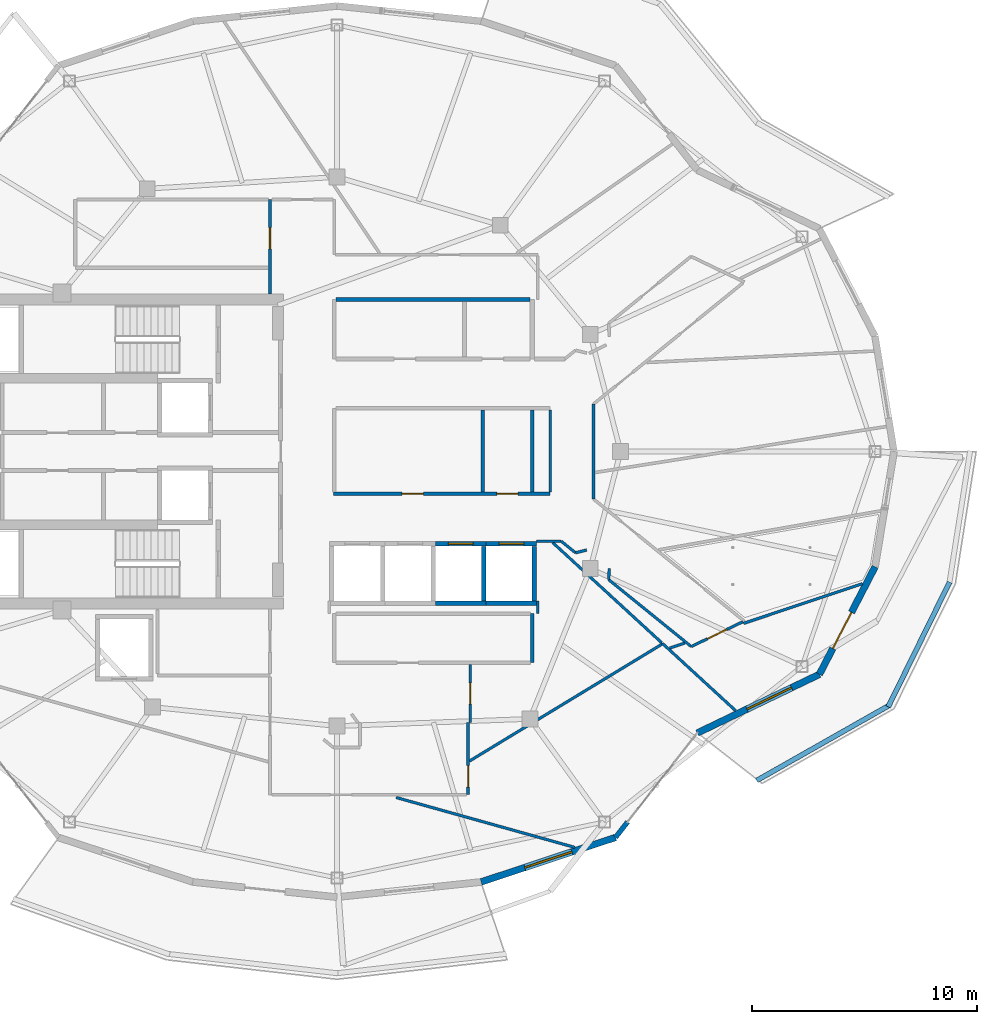
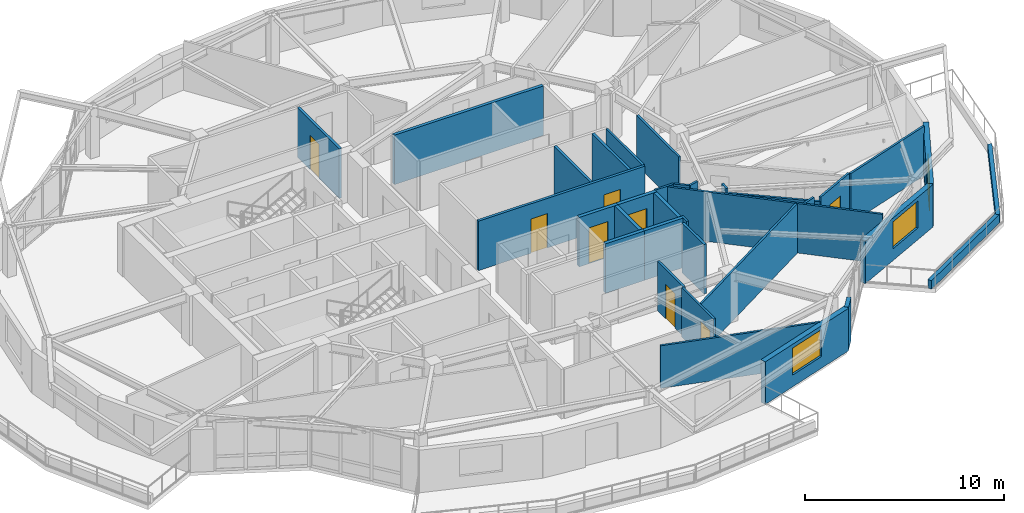
# One storey, part 9 of 16: 35 walls, 9 doors, 2 windows, 11 openings.
"""IFC4 building model written with IfcOpenShell, lengths in metres."""

import ifcopenshell
import ifcopenshell.guid

model = None  # the IFC model being written
_history = None  # IfcOwnerHistory: only IFC2X3 demands one
_inside = {}  # id of a spatial element -> (the spatial element, [elements in it])
_under = {}  # id of a project, library or spatial element -> (it, [spatial elements below it])
_declared = {}  # id of a project -> (the project, [libraries it declares])
_typed = {}  # id of a type object -> (the type object, [elements of that type])
_made_of = {}  # id of a material, layer set ... -> (it, [elements and type objects made of it])


def new_model(schema):
    """Start an empty IFC model of exactly this schema.

    Asked for "IFC4X3", IfcOpenShell would pick the latest addendum, in which some entities
    have other attributes; the version numbers below select the first issue.
    IFC2X3 requires an IfcOwnerHistory on every rooted entity: one is made here for all.
    """
    global model, _history
    if schema == "IFC4X3":
        model = ifcopenshell.file(schema_version=(4, 3, 0, 0))
    else:
        model = ifcopenshell.file(schema=schema)
    _inside.clear()
    _under.clear()
    _declared.clear()
    _typed.clear()
    _made_of.clear()
    _history = None
    if model.schema == "IFC2X3":
        org = make("IfcOrganization", Name="unknown")
        user = make(
            "IfcPersonAndOrganization",
            ThePerson=make("IfcPerson", FamilyName="unknown"),
            TheOrganization=org,
        )
        app = make(
            "IfcApplication",
            ApplicationDeveloper=org,
            Version="unknown",
            ApplicationFullName="unknown",
            ApplicationIdentifier="unknown",
        )
        _history = make(
            "IfcOwnerHistory",
            OwningUser=user,
            OwningApplication=app,
            ChangeAction="ADDED",
            CreationDate=0,
        )
    return model


def make(cls, **values):
    """One entity of the class cls with the attributes given. An attribute that is None is left unset."""
    return model.create_entity(
        cls, **{name: value for name, value in values.items() if value is not None}
    )


def rooted(cls, **values):
    """An entity with a GlobalId (a new one), such as an element, a storey or a relation."""
    return make(cls, GlobalId=ifcopenshell.guid.new(), OwnerHistory=_history, **values)


def si_unit(unit_type, name, prefix=None):
    """IfcSIUnit, for example si_unit("LENGTHUNIT", "METRE", prefix="MILLI")."""
    return make("IfcSIUnit", UnitType=unit_type, Prefix=prefix, Name=name)


def assignment(units):
    """IfcUnitAssignment: the units of a project."""
    return None if units is None else make("IfcUnitAssignment", Units=units)


def point(xyz):
    """IfcCartesianPoint."""
    return None if xyz is None else make("IfcCartesianPoint", Coordinates=xyz)


def direction(xyz):
    """IfcDirection."""
    return None if xyz is None else make("IfcDirection", DirectionRatios=xyz)


def frame(location, z_axis=None, x_axis=None):
    """IfcAxis2Placement3D, a coordinate frame: its origin and axes. An axis left out is left unset."""
    return make(
        "IfcAxis2Placement3D",
        Location=point(location),
        Axis=direction(z_axis),
        RefDirection=direction(x_axis),
    )


def frame_2d(location, x_axis=None):
    """IfcAxis2Placement2D, a coordinate frame in the plane: its origin and x axis."""
    return make(
        "IfcAxis2Placement2D", Location=point(location), RefDirection=direction(x_axis)
    )


def origin():
    """The frame at (0, 0, 0) with its axes left unset."""
    return frame((0.0, 0.0, 0.0))


def place(relative_to, where):
    """IfcLocalPlacement: puts the frame where relative to a parent placement (None: the world)."""
    return make(
        "IfcLocalPlacement", PlacementRelTo=relative_to, RelativePlacement=where
    )


def context(
    kind, dimensions, precision=None, world=None, true_north=None, identifier=None
):
    """IfcGeometricRepresentationContext, for example the 3D "Model" context."""
    return make(
        "IfcGeometricRepresentationContext",
        ContextIdentifier=identifier,
        ContextType=kind,
        CoordinateSpaceDimension=dimensions,
        Precision=precision,
        WorldCoordinateSystem=world,
        TrueNorth=true_north,
    )


def subcontext(parent, identifier, kind, view, scale=None):
    """IfcGeometricRepresentationSubContext, for example "Body" below "Model"."""
    return make(
        "IfcGeometricRepresentationSubContext",
        ContextIdentifier=identifier,
        ContextType=kind,
        ParentContext=parent,
        TargetScale=scale,
        TargetView=view,
    )


def project(units=None, contexts=None):
    """IfcProject with its units and contexts."""
    return rooted(
        "IfcProject",
        Name="project",
        RepresentationContexts=contexts,
        UnitsInContext=assignment(units),
    )


def spatial(cls, under=None, at=None, **own):
    """A site, building, storey or space (cls), placed at a placement, below another one or the project."""
    s = rooted(cls, ObjectPlacement=at, **own)
    if under is not None:
        _under.setdefault(under.id(), (under, []))[1].append(s)
    return s


def profile(cls, at=None, kind="AREA", **sizes):
    """A parametric profile (cls). Its sizes go by their IFC names, for example OverallWidth=200.0."""
    return make(cls, ProfileType=kind, Position=at, **sizes)


def rectangle(**sizes):
    """IfcRectangleProfileDef."""
    return profile("IfcRectangleProfileDef", **sizes)


def extrude(swept, where, along, depth):
    """IfcExtrudedAreaSolid: the profile swept, set in the frame where, extruded along a direction by depth."""
    return make(
        "IfcExtrudedAreaSolid",
        SweptArea=swept,
        Position=where,
        ExtrudedDirection=direction(along),
        Depth=depth,
    )


def shape(context_of_items, identifier, shape_type, items):
    """IfcShapeRepresentation: the items that make up one representation, for example the "Body"."""
    return make(
        "IfcShapeRepresentation",
        ContextOfItems=context_of_items,
        RepresentationIdentifier=identifier,
        RepresentationType=shape_type,
        Items=items,
    )


def material(Name=None, Category=None):
    """IfcMaterial."""
    return make("IfcMaterial", Name=Name, Category=Category)


def layer(
    of_material, thickness, ventilated=None, Name=None, Category=None, Priority=None
):
    """IfcMaterialLayer: one layer of a wall or slab, of a material (None: an air gap)."""
    return make(
        "IfcMaterialLayer",
        Material=of_material,
        LayerThickness=thickness,
        IsVentilated=ventilated,
        Name=Name,
        Category=Category,
        Priority=Priority,
    )


def layer_set(layers, Name=None):
    """IfcMaterialLayerSet."""
    return make("IfcMaterialLayerSet", MaterialLayers=layers, LayerSetName=Name)


def made_of(thing, what):
    """Note that an element or type object is made of a material, layer set ...; save() writes the relation."""
    if what is not None:
        _made_of.setdefault(what.id(), (what, []))[1].append(thing)
    return thing


def type_object(cls, material=None, **own):
    """A type object (cls), such as IfcWallType, which elements share."""
    return made_of(rooted(cls, **own), material)


def element(
    cls,
    number,
    at=None,
    inside=None,
    cuts=None,
    type_object=None,
    material=None,
    context=None,
    identifier="Body",
    shape_type=None,
    held_by="IfcProductDefinitionShape",
    body=None,
    shapes=None,
    **own,
):
    """One element of the class cls, such as IfcWall. Its Tag is "e" and its number.

    at: its placement. inside: the storey or other place that contains it. cuts: it is an
    opening in that element (IfcRelVoidsElement). A single representation is given by context,
    identifier, shape_type and body (its items); several are given by shapes. held_by: the class
    of the entity that holds the representations. save() writes the other relations.
    """
    e = rooted(cls, Tag="e%d" % number, ObjectPlacement=at, **own)
    if body is not None:
        shapes = [shape(context, identifier, shape_type, body)]
    if shapes is not None:
        e.Representation = make(held_by, Representations=shapes)
    if inside is not None:
        _inside.setdefault(inside.id(), (inside, []))[1].append(e)
    if cuts is not None:
        rooted(
            "IfcRelVoidsElement", RelatingBuildingElement=cuts, RelatedOpeningElement=e
        )
    if type_object is not None:
        _typed.setdefault(type_object.id(), (type_object, []))[1].append(e)
    return made_of(e, material)


def fill(opening, filler):
    """IfcRelFillsElement: the door or window that sits in an opening."""
    return rooted(
        "IfcRelFillsElement",
        RelatingOpeningElement=opening,
        RelatedBuildingElement=filler,
    )


def aggregate(whole, parts):
    """IfcRelAggregates: a whole, such as a stair, and the parts it consists of."""
    return rooted("IfcRelAggregates", RelatingObject=whole, RelatedObjects=parts)


def save(model, path):
    """Write the relations noted so far, then the file.

    IfcRelAggregates (storeys below a building ...), IfcRelContainedInSpatialStructure (elements
    in a storey), IfcRelDefinesByType, IfcRelAssociatesMaterial and IfcRelDeclares: one each for
    every whole, place, type object, material and project.
    """
    for whole, parts in _under.values():
        aggregate(whole, parts)
    for where, things in _inside.values():
        rooted(
            "IfcRelContainedInSpatialStructure",
            RelatedElements=things,
            RelatingStructure=where,
        )
    for kind, things in _typed.values():
        rooted("IfcRelDefinesByType", RelatedObjects=things, RelatingType=kind)
    for what, things in _made_of.values():
        rooted("IfcRelAssociatesMaterial", RelatedObjects=things, RelatingMaterial=what)
    for by, libraries in _declared.values():
        rooted("IfcRelDeclares", RelatingContext=by, RelatedDefinitions=libraries)
    model.write(path)


model = new_model("IFC4")

# Units and contexts
model_context = context("Model", 3, precision=1e-05, world=origin(), true_north=direction((0.0, 1.0)))
body_context = subcontext(model_context, "Body", "Model", "MODEL_VIEW")
ifc_project = project(units=[si_unit("LENGTHUNIT", "METRE"), si_unit("AREAUNIT", "SQUARE_METRE"), si_unit("VOLUMEUNIT", "CUBIC_METRE"), si_unit("PLANEANGLEUNIT", "RADIAN"), si_unit("MASSUNIT", "GRAM", prefix="KILO")], contexts=[model_context])

# Site, building, storey
site_placement = place(None, origin())
site = spatial("IfcSite", under=ifc_project, at=site_placement, CompositionType="ELEMENT")
building_placement = place(site_placement, origin())
building = spatial("IfcBuilding", under=site, at=building_placement, Name="Kolvaren Gate Tower and Convention Centre", CompositionType="ELEMENT")
storey_placement = place(building_placement, frame((0.0, 0.0, 219.5)))
storey = spatial("IfcBuildingStorey", under=building, at=storey_placement, Name="L58", CompositionType="ELEMENT", Elevation=219.5)

# Walls
ifc_material_1 = material(Name="Autoclaved Aerated Masonry Blockwork Class 4 (4.0 MPa)", Category="masonry")
ifc_layer_1 = layer(ifc_material_1, 0.179931640625)
ifc_layer_set_1 = layer_set([ifc_layer_1], Name="Autoclaved Aerated Masonry Blockwork Class 4 (4.0 MPa)")
wall_type_1 = type_object("IfcWallType", Name="ARCH-WL-COMP-180", PredefinedType="SOLIDWALL", material=ifc_layer_set_1)
wall_1_placement = place(storey_placement, frame((30.076904296875, 33.75, 0.0), z_axis=(0.0, 0.0, 1.0), x_axis=(1.0, 0.0, 0.0)))
element("IfcWall", 1, at=wall_1_placement, inside=storey, type_object=wall_type_1, Name="Interior Partition WL-L58-INT-024", PredefinedType="SOLIDWALL", context=body_context, shape_type="SweptSolid", body=[
    extrude(rectangle(XDim=8.631103515625, YDim=0.179931640625, at=frame_2d((4.3154296875, 0.0))), origin(), (0.0, 0.0, 1.0), 3.030029296875),
])
ifc_material_2 = material(Name="Fire-Rated Acoustic Gypsum Stud Partition", Category="gypsum")
ifc_layer_2 = layer(ifc_material_2, 0.1201171875)
ifc_layer_set_2 = layer_set([ifc_layer_2], Name="Fire-Rated Acoustic Gypsum Stud Partition")
wall_type_2 = type_object("IfcWallType", Name="ARCH-WL-PART-120", PredefinedType="PARTITIONING", material=ifc_layer_set_2)
wall_2_placement = place(storey_placement, frame((39.050048828125, 19.800048828125, 0.0), z_axis=(0.0, 0.0, 1.0), x_axis=(0.0, 1.0, 0.0)))
element("IfcWall", 2, at=wall_2_placement, inside=storey, type_object=wall_type_2, Name="Interior Partition WL-L58-INT-032", PredefinedType="PARTITIONING", context=body_context, shape_type="SweptSolid", body=[
    extrude(rectangle(XDim=0.56005859375, YDim=0.1201171875, at=frame_2d((0.280029296875, 0.0))), origin(), (0.0, 0.0, 1.0), 3.030029296875),
])
wall_3_placement = place(storey_placement, frame((41.52001953125, 24.89208984375, 0.0), z_axis=(0.0, 0.0, 1.0), x_axis=(0.0, 1.0, 0.0)))
element("IfcWall", 3, at=wall_3_placement, inside=storey, type_object=wall_type_2, Name="Interior Partition WL-L58-INT-040", PredefinedType="PARTITIONING", context=body_context, shape_type="SweptSolid", body=[
    extrude(rectangle(XDim=4.2158203125, YDim=0.1201171875, at=frame_2d((2.10791015625, 0.0))), origin(), (0.0, 0.0, 1.0), 3.030029296875),
])

# Wall, opening, door
wall_4_placement = place(storey_placement, frame((45.864013671875, 18.3359375, 0.0), z_axis=(0.0, 0.0, 1.0), x_axis=(0.901512568896, 0.432752918097, 0.0)))
wall_4 = element("IfcWall", 4, at=wall_4_placement, inside=storey, type_object=wall_type_2, Name="Interior Partition WL-L58-INT-042", PredefinedType="PARTITIONING", context=body_context, shape_type="SweptSolid", body=[
    extrude(rectangle(XDim=2.542724609375, YDim=0.1201171875, at=frame_2d((1.271484375, 0.0))), origin(), (0.0, 0.0, 1.0), 3.030029296875),
])
opening_1_placement = place(wall_4_placement, frame((0.79638671875, 0.0, 0.0)))
opening_1 = element("IfcOpeningElement", 5, at=opening_1_placement, cuts=wall_4, Name="Opening DR-01", PredefinedType="OPENING", context=body_context, shape_type="SweptSolid", body=[
    extrude(rectangle(XDim=0.949951171875, YDim=2.10009765625, at=frame_2d((0.47509765625, 1.050048828125))), frame((0.0, 0.070068359375, 0.0), z_axis=(0.0, -1.0, 0.0), x_axis=(1.0, 0.0, 0.0)), (0.0, 0.0, 1.0), 0.14013671875),
])
ifc_material_3 = material(Name="Painted Architectural Steelwork ASTM A500 Grade C 345 MPa", Category="steel")
door_type_1 = type_object("IfcDoorType", Name="ARCH-DR-RISER-950", OperationType="SINGLE_SWING_RIGHT", PredefinedType="DOOR", material=ifc_material_3)
door_1_placement = place(opening_1_placement, origin())
door_1 = element("IfcDoor", 6, at=door_1_placement, inside=storey, type_object=door_type_1, Name="Resident Sauna and Wellness Spa Door", OperationType="SINGLE_SWING_LEFT", OverallHeight=2.10009765625, OverallWidth=0.949951171875, PredefinedType="DOOR", context=body_context, shape_type="SweptSolid", body=[
    extrude(rectangle(XDim=0.949951171875, YDim=2.10009765625, at=frame_2d((0.47509765625, 1.050048828125))), frame((0.0, 0.02490234375, 0.0), z_axis=(0.0, -1.0, 0.0), x_axis=(1.0, 0.0, 0.0)), (0.0, 0.0, 1.0), 0.050048828125),
])
fill(opening_1, door_1)

# Walls
wall_5_placement = place(storey_placement, frame((40.08203125, 23.020263671875, 0.0), z_axis=(0.0, 0.0, 1.0), x_axis=(0.776900403314, -0.629623509195, 0.0)))
element("IfcWall", 7, at=wall_5_placement, inside=storey, type_object=wall_type_2, Name="Interior Partition WL-L58-INT-043", PredefinedType="PARTITIONING", context=body_context, shape_type="SweptSolid", body=[
    extrude(rectangle(XDim=0.825439453125, YDim=0.1201171875, at=frame_2d((0.41259765625, 0.0))), origin(), (0.0, 0.0, 1.0), 3.030029296875),
])
wall_6_placement = place(storey_placement, frame((42.197998046875, 21.305908203125, 0.0), z_axis=(0.0, 0.0, 1.0), x_axis=(0.777012245854, -0.629485480208, 0.0)))
element("IfcWall", 8, at=wall_6_placement, inside=storey, type_object=wall_type_2, Name="Interior Partition WL-L58-INT-044", PredefinedType="PARTITIONING", context=body_context, shape_type="SweptSolid", body=[
    extrude(rectangle(XDim=4.718017578125, YDim=0.1201171875, at=frame_2d((2.35888671875, 0.0))), origin(), (0.0, 0.0, 1.0), 2.77001953125),
])
wall_7_placement = place(storey_placement, frame((42.197998046875, 21.305908203125, 0.0), z_axis=(0.0, 0.0, 1.0), x_axis=(0.048267148556, 0.998834461946, 0.0)))
element("IfcWall", 9, at=wall_7_placement, inside=storey, type_object=wall_type_2, Name="Interior Partition WL-L58-INT-045", PredefinedType="PARTITIONING", context=body_context, shape_type="SweptSolid", body=[
    extrude(rectangle(XDim=0.49560546875, YDim=0.1201171875, at=frame_2d((0.247802734375, 0.0))), origin(), (0.0, 0.0, 1.0), 3.030029296875),
])
wall_8_placement = place(storey_placement, frame((40.722900390625, 22.5, 0.0), z_axis=(0.0, 0.0, 1.0), x_axis=(0.970029850173, 0.24298578101, 0.0)))
element("IfcWall", 10, at=wall_8_placement, inside=storey, type_object=wall_type_2, Name="Interior Partition WL-L58-INT-046", PredefinedType="PARTITIONING", context=body_context, shape_type="SweptSolid", body=[
    extrude(rectangle(XDim=0.510498046875, YDim=0.1201171875, at=frame_2d((0.25537109375, 0.0))), origin(), (0.0, 0.0, 1.0), 3.030029296875),
])
wall_9_placement = place(storey_placement, frame((39.0, 23.02001953125, 0.0), z_axis=(0.0, 0.0, 1.0), x_axis=(1.0, 0.0, 0.0)))
element("IfcWall", 11, at=wall_9_placement, inside=storey, type_object=wall_type_2, Name="Interior Partition WL-L58-INT-047", PredefinedType="PARTITIONING", context=body_context, shape_type="SweptSolid", body=[
    extrude(rectangle(XDim=1.081787109375, YDim=0.1201171875, at=frame_2d((0.541015625, 0.0))), origin(), (0.0, 0.0, 1.0), 3.030029296875),
])

# Wall, opening, door
wall_10_placement = place(storey_placement, frame((36.050048828125, 14.949951171875, 0.0), z_axis=(0.0, 0.0, 1.0), x_axis=(0.0, 1.0, 0.0)))
wall_10 = element("IfcWall", 12, at=wall_10_placement, inside=storey, type_object=wall_type_2, Name="Interior Partition WL-L58-INT-049", PredefinedType="PARTITIONING", context=body_context, shape_type="SweptSolid", body=[
    extrude(rectangle(XDim=2.593017578125, YDim=0.1201171875, at=frame_2d((1.29638671875, 0.0))), origin(), (0.0, 0.0, 1.0), 3.030029296875),
])
opening_2_placement = place(wall_10_placement, frame((0.821533203125, 0.0, 0.0)))
opening_2 = element("IfcOpeningElement", 13, at=opening_2_placement, cuts=wall_10, Name="Opening DR-01", PredefinedType="OPENING", context=body_context, shape_type="SweptSolid", body=[
    extrude(rectangle(XDim=0.949951171875, YDim=2.10009765625, at=frame_2d((0.47509765625, 1.050048828125))), frame((0.0, 0.070068359375, 0.0), z_axis=(0.0, -1.0, 0.0), x_axis=(1.0, 0.0, 0.0)), (0.0, 0.0, 1.0), 0.14013671875),
])
door_2_placement = place(opening_2_placement, origin())
door_2 = element("IfcDoor", 14, at=door_2_placement, inside=storey, type_object=door_type_1, Name="Resident Reading Study Door", OperationType="SINGLE_SWING_RIGHT", OverallHeight=2.10009765625, OverallWidth=0.949951171875, PredefinedType="DOOR", context=body_context, shape_type="SweptSolid", body=[
    extrude(rectangle(XDim=0.949951171875, YDim=2.10009765625, at=frame_2d((0.47509765625, 1.050048828125))), frame((0.0, 0.02490234375, 0.0), z_axis=(0.0, -1.0, 0.0), x_axis=(1.0, 0.0, 0.0)), (0.0, 0.0, 1.0), 0.050048828125),
])
fill(opening_2, door_2)

wall_11_placement = place(storey_placement, frame((35.949951171875, 11.75, 0.0), z_axis=(0.0, 0.0, 1.0), x_axis=(0.0, 1.0, 0.0)))
wall_11 = element("IfcWall", 15, at=wall_11_placement, inside=storey, type_object=wall_type_2, Name="Interior Partition WL-L58-INT-050", PredefinedType="PARTITIONING", context=body_context, shape_type="SweptSolid", body=[
    extrude(rectangle(XDim=3.199951171875, YDim=0.1201171875, at=frame_2d((1.60009765625, 0.0))), origin(), (0.0, 0.0, 1.0), 3.030029296875),
])
opening_3_placement = place(wall_11_placement, frame((0.343017578125, 0.0, 0.0)))
opening_3 = element("IfcOpeningElement", 16, at=opening_3_placement, cuts=wall_11, Name="Opening DR-01", PredefinedType="OPENING", context=body_context, shape_type="SweptSolid", body=[
    extrude(rectangle(XDim=0.949951171875, YDim=2.10009765625, at=frame_2d((0.47509765625, 1.050048828125))), frame((0.0, 0.070068359375, 0.0), z_axis=(0.0, -1.0, 0.0), x_axis=(1.0, 0.0, 0.0)), (0.0, 0.0, 1.0), 0.14013671875),
])
door_3_placement = place(opening_3_placement, origin())
door_3 = element("IfcDoor", 17, at=door_3_placement, inside=storey, type_object=door_type_1, Name="Resident Private Study Door", OperationType="SINGLE_SWING_LEFT", OverallHeight=2.10009765625, OverallWidth=0.949951171875, PredefinedType="DOOR", context=body_context, shape_type="SweptSolid", body=[
    extrude(rectangle(XDim=0.949951171875, YDim=2.10009765625, at=frame_2d((0.47509765625, 1.050048828125))), frame((0.0, 0.02490234375, 0.0), z_axis=(0.0, -1.0, 0.0), x_axis=(1.0, 0.0, 0.0)), (0.0, 0.0, 1.0), 0.050048828125),
])
fill(opening_3, door_3)

# Walls
wall_12_placement = place(storey_placement, frame((39.60009765625, 25.197021484375, 0.0), z_axis=(0.0, 0.0, 1.0), x_axis=(0.0, 1.0, 0.0)))
element("IfcWall", 18, at=wall_12_placement, inside=storey, type_object=wall_type_2, Name="Interior Partition WL-L58-INT-052", PredefinedType="PARTITIONING", context=body_context, shape_type="SweptSolid", body=[
    extrude(rectangle(XDim=3.64599609375, YDim=0.1201171875, at=frame_2d((1.822998046875, 0.0))), origin(), (0.0, 0.0, 1.0), 3.030029296875),
])
wall_13_placement = place(storey_placement, frame((32.75341796875, 11.6279296875, 0.0), z_axis=(0.0, 0.0, 1.0), x_axis=(0.96314203236, -0.26899335587, 0.0)))
element("IfcWall", 19, at=wall_13_placement, inside=storey, type_object=wall_type_2, Name="Interior Partition WL-L58-INT-060", PredefinedType="PARTITIONING", context=body_context, shape_type="SweptSolid", body=[
    extrude(rectangle(XDim=8.237548828125, YDim=0.1201171875, at=frame_2d((4.11865234375, 0.0))), origin(), (0.0, 0.0, 1.0), 2.60498046875),
])
wall_14_placement = place(storey_placement, frame((36.011962890625, 13.246826171875, 0.0), z_axis=(0.0, 0.0, 1.0), x_axis=(0.85474937032, 0.519040955934, 0.0)))
element("IfcWall", 20, at=wall_14_placement, inside=storey, type_object=wall_type_2, Name="Interior Partition WL-L58-INT-061", PredefinedType="PARTITIONING", context=body_context, shape_type="SweptSolid", body=[
    extrude(rectangle(XDim=10.03955078125, YDim=0.1201171875, at=frame_2d((5.019775390625, 0.0))), origin(), (0.0, 0.0, 1.0), 3.030029296875),
])
wall_15_placement = place(storey_placement, frame((39.70556640625, 22.9580078125, 0.0), z_axis=(0.0, 0.0, 1.0), x_axis=(0.73633751064, -0.676614417837, 0.0)))
element("IfcWall", 21, at=wall_15_placement, inside=storey, type_object=wall_type_2, Name="Interior Partition WL-L58-INT-062", PredefinedType="PARTITIONING", context=body_context, shape_type="SweptSolid", body=[
    extrude(rectangle(XDim=6.58154296875, YDim=0.1201171875, at=frame_2d((3.290771484375, 0.0))), origin(), (0.0, 0.0, 1.0), 3.030029296875),
])
wall_16_placement = place(storey_placement, frame((44.580810546875, 18.47802734375, 0.0), z_axis=(0.0, 0.0, 1.0), x_axis=(0.736361674887, -0.676588119729, 0.0)))
element("IfcWall", 22, at=wall_16_placement, inside=storey, type_object=wall_type_2, Name="Interior Partition WL-L58-INT-062 (2)", PredefinedType="PARTITIONING", context=body_context, shape_type="SweptSolid", body=[
    extrude(rectangle(XDim=4.427490234375, YDim=0.1201171875, at=frame_2d((2.2138671875, 0.0))), origin(), (0.0, 0.0, 1.0), 3.030029296875),
])
wall_17_placement = place(storey_placement, frame((44.902587890625, 18.2666015625, 0.0), z_axis=(0.0, 0.0, 1.0), x_axis=(0.948614335511, 0.316434578488, 0.0)))
element("IfcWall", 23, at=wall_17_placement, inside=storey, type_object=wall_type_2, Name="Interior Partition WL-L58-INT-063", PredefinedType="PARTITIONING", context=body_context, shape_type="SweptSolid", body=[
    extrude(rectangle(XDim=0.708251953125, YDim=0.1201171875, at=frame_2d((0.35400390625, 0.0))), origin(), (0.0, 0.0, 1.0), 3.030029296875),
])
wall_18_placement = place(storey_placement, frame((48.19091796875, 19.364013671875, 0.0), z_axis=(0.0, 0.0, 1.0), x_axis=(0.948573630056, 0.316556580033, 0.0)))
element("IfcWall", 24, at=wall_18_placement, inside=storey, type_object=wall_type_2, Name="Interior Partition WL-L58-INT-064", PredefinedType="PARTITIONING", context=body_context, shape_type="SweptSolid", body=[
    extrude(rectangle(XDim=5.568359375, YDim=0.1201171875, at=frame_2d((2.7841796875, 0.0))), origin(), (0.0, 0.0, 1.0), 3.030029296875),
])
ifc_material_4 = material(Name="Bogota Sabana Bush-Hammered Sandstone Cladding", Category="masonry")
ifc_layer_3 = layer(ifc_material_4, 0.219970703125)
ifc_layer_set_3 = layer_set([ifc_layer_3], Name="Bogota Sabana Bush-Hammered Sandstone Cladding")
wall_type_3 = type_object("IfcWallType", Name="ARCH-WL-PIER-220", PredefinedType="SOLIDWALL", material=ifc_layer_set_3)
wall_19_placement = place(storey_placement, frame((42.5, 9.852783203125, 0.0), z_axis=(0.0, 0.0, 1.0), x_axis=(0.61650363284, 0.787352062736, 0.0)))
element("IfcWall", 25, at=wall_19_placement, inside=storey, type_object=wall_type_3, Name="Tower L58 Unitised Curtain Wall CW-RES-UNIT Bay 20 Left Column Pier Wrap", PredefinedType="SOLIDWALL", context=body_context, shape_type="SweptSolid", body=[
    extrude(rectangle(XDim=0.8759765625, YDim=0.219970703125, at=frame_2d((0.43798828125, 0.0))), origin(), (0.0, 0.0, 1.0), 2.60498046875),
])
ifc_material_5 = material(Name="Piedmont Cream Honed Limestone Cladding", Category="masonry")
ifc_layer_4 = layer(ifc_material_5, 0.219970703125)
ifc_layer_set_4 = layer_set([ifc_layer_4], Name="Piedmont Cream Honed Limestone Cladding")
wall_type_4 = type_object("IfcWallType", Name="ARCH-WL-PLANTER-220", PredefinedType="PARAPET", material=ifc_layer_set_4)
wall_20_placement = place(storey_placement, frame((48.7763671875, 12.38330078125, 0.0), z_axis=(0.0, 0.0, 1.0), x_axis=(0.869860619267, 0.493297580623, 0.0)))
element("IfcWall", 26, at=wall_20_placement, inside=storey, type_object=wall_type_4, Name="Vertical-Forest Balcony Stone Planter Kerb PK-L58-4.1", PredefinedType="PARAPET", context=body_context, shape_type="SweptSolid", body=[
    extrude(rectangle(XDim=6.74267578125, YDim=0.219970703125, at=frame_2d((3.371337890625, 0.0))), origin(), (0.0, 0.0, 1.0), 0.52001953125),
])
wall_21_placement = place(storey_placement, frame((54.615966796875, 15.6533203125, 0.0), z_axis=(0.0, 0.0, 1.0), x_axis=(0.441640961804, 0.897191875162, 0.0)))
element("IfcWall", 27, at=wall_21_placement, inside=storey, type_object=wall_type_4, Name="Vertical-Forest Balcony Stone Planter Kerb PK-L58-4.2", PredefinedType="PARAPET", context=body_context, shape_type="SweptSolid", body=[
    extrude(rectangle(XDim=6.17822265625, YDim=0.219970703125, at=frame_2d((3.089111328125, 0.0))), origin(), (0.0, 0.0, 1.0), 0.52001953125),
])

# Wall, opening, door
ifc_layer_5 = layer(ifc_material_1, 0.199951171875)
ifc_layer_set_5 = layer_set([ifc_layer_5], Name="Autoclaved Aerated Masonry Blockwork Class 4 (4.0 MPa)")
wall_type_5 = type_object("IfcWallType", Name="ARCH-WL-SHAFT-200", PredefinedType="SOLIDWALL", material=ifc_layer_set_5)
wall_22_placement = place(storey_placement, frame((34.5, 22.89990234375, 0.0), z_axis=(0.0, 0.0, 1.0), x_axis=(1.0, 0.0, 0.0)))
wall_22 = element("IfcWall", 28, at=wall_22_placement, inside=storey, type_object=wall_type_5, Name="Elevator PL-11 L58 Fire Shaft Wall N", PredefinedType="SOLIDWALL", context=body_context, shape_type="SweptSolid", body=[
    extrude(rectangle(XDim=2.25, YDim=0.199951171875, at=frame_2d((1.125, 0.0))), origin(), (0.0, 0.0, 1.0), 3.030029296875),
])
opening_4_placement = place(wall_22_placement, frame((0.574951171875, 0.0, 0.0)))
opening_4 = element("IfcOpeningElement", 29, at=opening_4_placement, cuts=wall_22, Name="Opening LD", PredefinedType="OPENING", context=body_context, shape_type="SweptSolid", body=[
    extrude(rectangle(XDim=1.10009765625, YDim=2.199951171875, at=frame_2d((0.550048828125, 1.10009765625))), frame((0.0, 0.10986328125, 0.0), z_axis=(0.0, -1.0, 0.0), x_axis=(1.0, 0.0, 0.0)), (0.0, 0.0, 1.0), 0.219970703125),
])
ifc_material_6 = material(Name="Brushed Stainless Steel Grade 316L", Category="steel")
door_type_2 = type_object("IfcDoorType", Name="ARCH-DR-LIFT-1100", OperationType="SLIDING_TO_LEFT", PredefinedType="DOOR", material=ifc_material_6)
door_4_placement = place(opening_4_placement, origin())
door_4 = element("IfcDoor", 30, at=door_4_placement, inside=storey, type_object=door_type_2, Name="Elevator PL-11 L58 Sliding Landing Door", OperationType="SLIDING_TO_LEFT", OverallHeight=2.199951171875, OverallWidth=1.10009765625, PredefinedType="DOOR", context=body_context, shape_type="SweptSolid", body=[
    extrude(rectangle(XDim=1.10009765625, YDim=2.199951171875, at=frame_2d((0.550048828125, 1.10009765625))), frame((0.0, 0.02490234375, 0.0), z_axis=(0.0, -1.0, 0.0), x_axis=(1.0, 0.0, 0.0)), (0.0, 0.0, 1.0), 0.050048828125),
])
fill(opening_4, door_4)

# Walls
wall_23_placement = place(storey_placement, frame((34.5, 20.25, 0.0), z_axis=(0.0, 0.0, 1.0), x_axis=(1.0, 0.0, 0.0)))
element("IfcWall", 31, at=wall_23_placement, inside=storey, type_object=wall_type_5, Name="Elevator PL-11 L58 Fire Shaft Wall S", PredefinedType="SOLIDWALL", context=body_context, shape_type="SweptSolid", body=[
    extrude(rectangle(XDim=2.25, YDim=0.199951171875, at=frame_2d((1.125, 0.0))), origin(), (0.0, 0.0, 1.0), 3.030029296875),
])
wall_24_placement = place(storey_placement, frame((36.64990234375, 20.360107421875, 0.0), z_axis=(0.0, 0.0, 1.0), x_axis=(0.0, 1.0, 0.0)))
element("IfcWall", 32, at=wall_24_placement, inside=storey, type_object=wall_type_5, Name="Elevator PL-11 L58 Fire Shaft Wall E", PredefinedType="SOLIDWALL", context=body_context, shape_type="SweptSolid", body=[
    extrude(rectangle(XDim=2.429931640625, YDim=0.199951171875, at=frame_2d((1.21484375, 0.0))), origin(), (0.0, 0.0, 1.0), 3.030029296875),
])

# Wall, opening, door
wall_25_placement = place(storey_placement, frame((36.75, 22.89990234375, 0.0), z_axis=(0.0, 0.0, 1.0), x_axis=(1.0, 0.0, 0.0)))
wall_25 = element("IfcWall", 33, at=wall_25_placement, inside=storey, type_object=wall_type_5, Name="Elevator PL-12 L58 Fire Shaft Wall N", PredefinedType="SOLIDWALL", context=body_context, shape_type="SweptSolid", body=[
    extrude(rectangle(XDim=2.25, YDim=0.199951171875, at=frame_2d((1.125, 0.0))), origin(), (0.0, 0.0, 1.0), 3.030029296875),
])
opening_5_placement = place(wall_25_placement, frame((0.574951171875, 0.0, 0.0)))
opening_5 = element("IfcOpeningElement", 34, at=opening_5_placement, cuts=wall_25, Name="Opening LD", PredefinedType="OPENING", context=body_context, shape_type="SweptSolid", body=[
    extrude(rectangle(XDim=1.10009765625, YDim=2.199951171875, at=frame_2d((0.550048828125, 1.10009765625))), frame((0.0, 0.10986328125, 0.0), z_axis=(0.0, -1.0, 0.0), x_axis=(1.0, 0.0, 0.0)), (0.0, 0.0, 1.0), 0.219970703125),
])
door_5_placement = place(opening_5_placement, origin())
door_5 = element("IfcDoor", 35, at=door_5_placement, inside=storey, type_object=door_type_2, Name="Elevator PL-12 L58 Sliding Landing Door", OperationType="SLIDING_TO_LEFT", OverallHeight=2.199951171875, OverallWidth=1.10009765625, PredefinedType="DOOR", context=body_context, shape_type="SweptSolid", body=[
    extrude(rectangle(XDim=1.10009765625, YDim=2.199951171875, at=frame_2d((0.550048828125, 1.10009765625))), frame((0.0, 0.02490234375, 0.0), z_axis=(0.0, -1.0, 0.0), x_axis=(1.0, 0.0, 0.0)), (0.0, 0.0, 1.0), 0.050048828125),
])
fill(opening_5, door_5)

# Walls
wall_26_placement = place(storey_placement, frame((36.75, 20.25, 0.0), z_axis=(0.0, 0.0, 1.0), x_axis=(1.0, 0.0, 0.0)))
element("IfcWall", 36, at=wall_26_placement, inside=storey, type_object=wall_type_5, Name="Elevator PL-12 L58 Fire Shaft Wall S", PredefinedType="SOLIDWALL", context=body_context, shape_type="SweptSolid", body=[
    extrude(rectangle(XDim=2.25, YDim=0.199951171875, at=frame_2d((1.125, 0.0))), origin(), (0.0, 0.0, 1.0), 3.030029296875),
])
wall_27_placement = place(storey_placement, frame((38.89990234375, 20.360107421875, 0.0), z_axis=(0.0, 0.0, 1.0), x_axis=(0.0, 1.0, 0.0)))
element("IfcWall", 37, at=wall_27_placement, inside=storey, type_object=wall_type_5, Name="Elevator PL-12 L58 Fire Shaft Wall E", PredefinedType="SOLIDWALL", context=body_context, shape_type="SweptSolid", body=[
    extrude(rectangle(XDim=2.429931640625, YDim=0.199951171875, at=frame_2d((1.21484375, 0.0))), origin(), (0.0, 0.0, 1.0), 3.030029296875),
])

# Wall, opening, window
ifc_layer_6 = layer(ifc_material_5, 0.300048828125)
ifc_layer_set_6 = layer_set([ifc_layer_6], Name="Piedmont Cream Honed Limestone Cladding")
wall_type_6 = type_object("IfcWallType", Name="ARCH-WL-STONE-300", PredefinedType="SOLIDWALL", material=ifc_layer_set_6)
wall_28_placement = place(storey_placement, frame((36.53076171875, 7.874755859375, 0.0), z_axis=(0.0, 0.0, 1.0), x_axis=(0.949240877604, 0.314550085495, 0.0)))
wall_28 = element("IfcWall", 38, at=wall_28_placement, inside=storey, type_object=wall_type_6, Name="Tower L58 Honed Stone Spandrel Wall EW-19", PredefinedType="SOLIDWALL", context=body_context, shape_type="SweptSolid", body=[
    extrude(rectangle(XDim=6.288330078125, YDim=0.300048828125, at=frame_2d((3.14404296875, 0.0))), origin(), (0.0, 0.0, 1.0), 2.60498046875),
])
opening_6_placement = place(wall_28_placement, frame((2.0439453125, 0.0, 0.719970703125)))
opening_6 = element("IfcOpeningElement", 39, at=opening_6_placement, cuts=wall_28, Name="Opening W-03", PredefinedType="OPENING", context=body_context, shape_type="SweptSolid", body=[
    extrude(rectangle(XDim=2.199951171875, YDim=1.64990234375, at=frame_2d((1.10009765625, 0.824951171875))), frame((0.0, 0.159912109375, 0.0), z_axis=(0.0, -1.0, 0.0), x_axis=(1.0, 0.0, 0.0)), (0.0, 0.0, 1.0), 0.320068359375),
])
ifc_material_7 = material(Name="Low-E Triple Insulated Glazing Unit 44 mm", Category="glass")
window_type = type_object("IfcWindowType", Name="ARCH-WN-RES-2200", PartitioningType="SINGLE_PANEL", PredefinedType="WINDOW", material=ifc_material_7)
window_1_placement = place(opening_6_placement, origin())
window_1 = element("IfcWindow", 40, at=window_1_placement, inside=storey, type_object=window_type, Name="Tower L58 Punched Stone Facade Window W-19", OverallHeight=1.64990234375, OverallWidth=2.199951171875, PartitioningType="SINGLE_PANEL", PredefinedType="WINDOW", context=body_context, shape_type="SweptSolid", body=[
    extrude(rectangle(XDim=2.199951171875, YDim=1.64990234375, at=frame_2d((1.10009765625, 0.824951171875))), frame((0.0, 0.030029296875, 0.0), z_axis=(0.0, -1.0, 0.0), x_axis=(1.0, 0.0, 0.0)), (0.0, 0.0, 1.0), 0.06005859375),
])
fill(opening_6, window_1)

wall_29_placement = place(storey_placement, frame((46.132568359375, 14.49267578125, 0.0), z_axis=(0.0, 0.0, 1.0), x_axis=(0.901348331142, 0.433094892545, 0.0)))
wall_29 = element("IfcWall", 41, at=wall_29_placement, inside=storey, type_object=wall_type_6, Name="Tower L58 Honed Stone Spandrel Wall EW-21", PredefinedType="SOLIDWALL", context=body_context, shape_type="SweptSolid", body=[
    extrude(rectangle(XDim=6.0205078125, YDim=0.300048828125, at=frame_2d((3.01025390625, 0.0))), origin(), (0.0, 0.0, 1.0), 2.60498046875),
])
opening_7_placement = place(wall_29_placement, frame((2.449951171875, 0.0, 0.719970703125)))
opening_7 = element("IfcOpeningElement", 42, at=opening_7_placement, cuts=wall_29, Name="Opening W-03", PredefinedType="OPENING", context=body_context, shape_type="SweptSolid", body=[
    extrude(rectangle(XDim=2.199951171875, YDim=1.64990234375, at=frame_2d((1.10009765625, 0.824951171875))), frame((0.0, 0.159912109375, 0.0), z_axis=(0.0, -1.0, 0.0), x_axis=(1.0, 0.0, 0.0)), (0.0, 0.0, 1.0), 0.320068359375),
])
window_2_placement = place(opening_7_placement, origin())
window_2 = element("IfcWindow", 43, at=window_2_placement, inside=storey, type_object=window_type, Name="Tower L58 Punched Stone Facade Window W-21", OverallHeight=1.64990234375, OverallWidth=2.199951171875, PartitioningType="SINGLE_PANEL", PredefinedType="WINDOW", context=body_context, shape_type="SweptSolid", body=[
    extrude(rectangle(XDim=2.199951171875, YDim=1.64990234375, at=frame_2d((1.10009765625, 0.824951171875))), frame((0.0, 0.030029296875, 0.0), z_axis=(0.0, -1.0, 0.0), x_axis=(1.0, 0.0, 0.0)), (0.0, 0.0, 1.0), 0.06005859375),
])
fill(opening_7, window_2)

# Wall, opening, door
wall_30_placement = place(storey_placement, frame((51.55908203125, 17.10009765625, 0.0), z_axis=(0.0, 0.0, 1.0), x_axis=(0.459808219482, 0.888018243786, 0.0)))
wall_30 = element("IfcWall", 44, at=wall_30_placement, inside=storey, type_object=wall_type_6, Name="Tower L58 Honed Stone Spandrel Wall EW-22", PredefinedType="SOLIDWALL", context=body_context, shape_type="SweptSolid", body=[
    extrude(rectangle(XDim=5.377685546875, YDim=0.300048828125, at=frame_2d((2.68896484375, 0.0))), origin(), (0.0, 0.0, 1.0), 2.60498046875),
])
opening_8_placement = place(wall_30_placement, frame((1.300048828125, 0.0, 0.0)))
opening_8 = element("IfcOpeningElement", 45, at=opening_8_placement, cuts=wall_30, Name="Opening DB-01", PredefinedType="OPENING", context=body_context, shape_type="SweptSolid", body=[
    extrude(rectangle(XDim=1.800048828125, YDim=2.25, at=frame_2d((0.89990234375, 1.125))), frame((0.0, 0.159912109375, 0.0), z_axis=(0.0, -1.0, 0.0), x_axis=(1.0, 0.0, 0.0)), (0.0, 0.0, 1.0), 0.320068359375),
])
ifc_material_8 = material(Name="Anodized Architectural Aluminium Alloy 6063-T6", Category="aluminium")
door_type_3 = type_object("IfcDoorType", Name="ARCH-DR-BALC-1800", OperationType="SLIDING_TO_LEFT", PredefinedType="DOOR", material=ifc_material_8)
door_6_placement = place(opening_8_placement, frame((1.800048828125, 0.0, 0.0), z_axis=(0.0, 0.0, 1.0), x_axis=(-1.0, 0.0, 0.0)))
door_6 = element("IfcDoor", 46, at=door_6_placement, inside=storey, type_object=door_type_3, Name="Planted Sky Terrace Access Door DB-L58-22", OperationType="SLIDING_TO_LEFT", OverallHeight=2.25, OverallWidth=1.800048828125, PredefinedType="DOOR", context=body_context, shape_type="SweptSolid", body=[
    extrude(rectangle(XDim=1.800048828125, YDim=2.25, at=frame_2d((0.89990234375, 1.125))), frame((0.0, 0.02490234375, 0.0), z_axis=(0.0, -1.0, 0.0), x_axis=(1.0, 0.0, 0.0)), (0.0, 0.0, 1.0), 0.050048828125),
])
fill(opening_8, door_6)

ifc_material_9 = material(Name="Moisture-Resistant Cement-Board Acoustic Partition", Category="gypsum")
ifc_layer_7 = layer(ifc_material_9, 0.14990234375)
ifc_layer_set_7 = layer_set([ifc_layer_7], Name="Moisture-Resistant Cement-Board Acoustic Partition")
wall_type_7 = type_object("IfcWallType", Name="ARCH-WL-WET-150", PredefinedType="PARTITIONING", material=ifc_layer_set_7)
wall_31_placement = place(storey_placement, frame((27.14990234375, 34.001953125, 0.0), z_axis=(0.0, 0.0, 1.0), x_axis=(0.0, 1.0, 0.0)))
wall_31 = element("IfcWall", 47, at=wall_31_placement, inside=storey, type_object=wall_type_7, Name="Interior Partition WL-L58-INT-012", PredefinedType="PARTITIONING", context=body_context, shape_type="SweptSolid", body=[
    extrude(rectangle(XDim=4.197998046875, YDim=0.14990234375, at=frame_2d((2.09912109375, 0.0))), origin(), (0.0, 0.0, 1.0), 3.030029296875),
])
opening_9_placement = place(wall_31_placement, frame((1.998046875, 0.0, 0.0)))
opening_9 = element("IfcOpeningElement", 48, at=opening_9_placement, cuts=wall_31, Name="Opening DR-01", PredefinedType="OPENING", context=body_context, shape_type="SweptSolid", body=[
    extrude(rectangle(XDim=0.949951171875, YDim=2.10009765625, at=frame_2d((0.47509765625, 1.050048828125))), frame((0.0, 0.0849609375, 0.0), z_axis=(0.0, -1.0, 0.0), x_axis=(1.0, 0.0, 0.0)), (0.0, 0.0, 1.0), 0.169921875),
])
door_7_placement = place(opening_9_placement, origin())
door_7 = element("IfcDoor", 49, at=door_7_placement, inside=storey, type_object=door_type_1, Name="Reclaimed North Resident Store Door", OperationType="SINGLE_SWING_RIGHT", OverallHeight=2.10009765625, OverallWidth=0.949951171875, PredefinedType="DOOR", context=body_context, shape_type="SweptSolid", body=[
    extrude(rectangle(XDim=0.949951171875, YDim=2.10009765625, at=frame_2d((0.47509765625, 1.050048828125))), frame((0.0, 0.02490234375, 0.0), z_axis=(0.0, -1.0, 0.0), x_axis=(1.0, 0.0, 0.0)), (0.0, 0.0, 1.0), 0.050048828125),
])
fill(opening_9, door_7)

# Wall, openings, doors
wall_32_placement = place(storey_placement, frame((29.9599609375, 25.1201171875, 0.0), z_axis=(0.0, 0.0, 1.0), x_axis=(1.0, 0.0, 0.0)))
wall_32 = element("IfcWall", 50, at=wall_32_placement, inside=storey, type_object=wall_type_7, Name="Interior Partition WL-L58-INT-013", PredefinedType="PARTITIONING", context=body_context, shape_type="SweptSolid", body=[
    extrude(rectangle(XDim=9.64013671875, YDim=0.14990234375, at=frame_2d((4.820068359375, 0.0))), origin(), (0.0, 0.0, 1.0), 3.030029296875),
])
opening_10_placement = place(wall_32_placement, frame((3.050048828125, 0.0, 0.0)))
opening_10 = element("IfcOpeningElement", 51, at=opening_10_placement, cuts=wall_32, Name="Opening DR-01", PredefinedType="OPENING", context=body_context, shape_type="SweptSolid", body=[
    extrude(rectangle(XDim=0.949951171875, YDim=2.10009765625, at=frame_2d((0.47509765625, 1.050048828125))), frame((0.0, 0.0849609375, 0.0), z_axis=(0.0, -1.0, 0.0), x_axis=(1.0, 0.0, 0.0)), (0.0, 0.0, 1.0), 0.169921875),
])
opening_11_placement = place(wall_32_placement, frame((7.264892578125, 0.0, 0.0)))
opening_11 = element("IfcOpeningElement", 52, at=opening_11_placement, cuts=wall_32, Name="Opening DR-01", PredefinedType="OPENING", context=body_context, shape_type="SweptSolid", body=[
    extrude(rectangle(XDim=0.949951171875, YDim=2.10009765625, at=frame_2d((0.47509765625, 1.050048828125))), frame((0.0, 0.0849609375, 0.0), z_axis=(0.0, -1.0, 0.0), x_axis=(1.0, 0.0, 0.0)), (0.0, 0.0, 1.0), 0.169921875),
])
door_8_placement = place(opening_10_placement, origin())
door_8 = element("IfcDoor", 53, at=door_8_placement, inside=storey, type_object=door_type_1, Name="Accessible Universal Washroom Door", OperationType="SINGLE_SWING_LEFT", OverallHeight=2.10009765625, OverallWidth=0.949951171875, PredefinedType="DOOR", context=body_context, shape_type="SweptSolid", body=[
    extrude(rectangle(XDim=0.949951171875, YDim=2.10009765625, at=frame_2d((0.47509765625, 1.050048828125))), frame((0.0, 0.02490234375, 0.0), z_axis=(0.0, -1.0, 0.0), x_axis=(1.0, 0.0, 0.0)), (0.0, 0.0, 1.0), 0.050048828125),
])
fill(opening_10, door_8)
door_9_placement = place(opening_11_placement, origin())
door_9 = element("IfcDoor", 54, at=door_9_placement, inside=storey, type_object=door_type_1, Name="Floor Janitor and Supply Store Door", OperationType="SINGLE_SWING_RIGHT", OverallHeight=2.10009765625, OverallWidth=0.949951171875, PredefinedType="DOOR", context=body_context, shape_type="SweptSolid", body=[
    extrude(rectangle(XDim=0.949951171875, YDim=2.10009765625, at=frame_2d((0.47509765625, 1.050048828125))), frame((0.0, 0.02490234375, 0.0), z_axis=(0.0, -1.0, 0.0), x_axis=(1.0, 0.0, 0.0)), (0.0, 0.0, 1.0), 0.050048828125),
])
fill(opening_11, door_9)

# Walls
wall_33_placement = place(storey_placement, frame((36.60009765625, 25.197021484375, 0.0), z_axis=(0.0, 0.0, 1.0), x_axis=(0.0, 1.0, 0.0)))
element("IfcWall", 55, at=wall_33_placement, inside=storey, type_object=wall_type_7, Name="Interior Partition WL-L58-INT-019", PredefinedType="PARTITIONING", context=body_context, shape_type="SweptSolid", body=[
    extrude(rectangle(XDim=3.64599609375, YDim=0.14990234375, at=frame_2d((1.822998046875, 0.0))), origin(), (0.0, 0.0, 1.0), 3.030029296875),
])
wall_34_placement = place(storey_placement, frame((38.800048828125, 17.6201171875, 0.0), z_axis=(0.0, 0.0, 1.0), x_axis=(0.0, 1.0, 0.0)))
element("IfcWall", 56, at=wall_34_placement, inside=storey, type_object=wall_type_7, Name="Interior Partition WL-L58-INT-020", PredefinedType="PARTITIONING", context=body_context, shape_type="SweptSolid", body=[
    extrude(rectangle(XDim=2.179931640625, YDim=0.14990234375, at=frame_2d((1.08984375, 0.0))), origin(), (0.0, 0.0, 1.0), 3.030029296875),
])
wall_35_placement = place(storey_placement, frame((38.800048828125, 25.197021484375, 0.0), z_axis=(0.0, 0.0, 1.0), x_axis=(0.0, 1.0, 0.0)))
element("IfcWall", 57, at=wall_35_placement, inside=storey, type_object=wall_type_7, Name="Interior Partition WL-L58-INT-021", PredefinedType="PARTITIONING", context=body_context, shape_type="SweptSolid", body=[
    extrude(rectangle(XDim=3.64599609375, YDim=0.14990234375, at=frame_2d((1.822998046875, 0.0))), origin(), (0.0, 0.0, 1.0), 3.030029296875),
])

save(model, "model.ifc")
